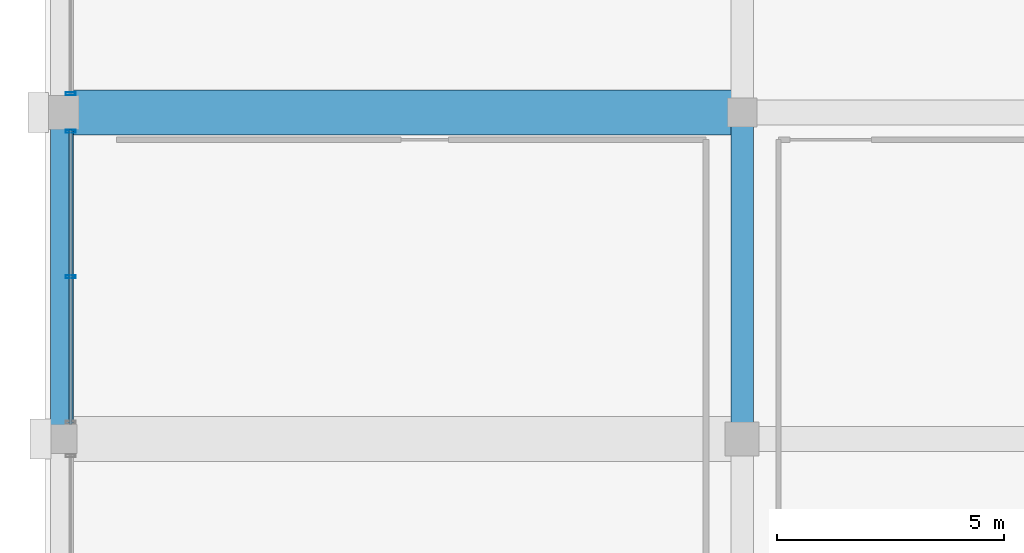
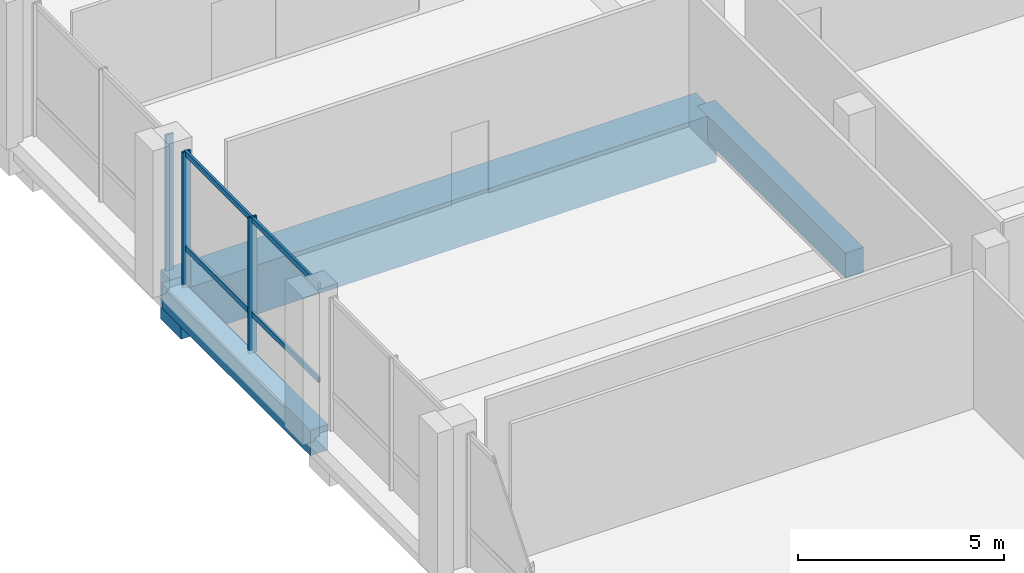
# One storey, part 20 of 64: 5 members, 3 beams, 2 elements without a shape of their own.
"""IFC4 building model written with IfcOpenShell, lengths in metres."""

from ifc_helpers import new_model, si_unit, direction, frame, origin, origin_2d, place, context, subcontext, project, spatial, rectangle, hollow_rectangle, extrude, material, material_profile, profile_set, type_object, element, aggregate, save


model = new_model("IFC4")

# Units and contexts
model_context = context("Model", 3, precision=1e-05, world=origin(), true_north=direction((0.0, 1.0)))
body_context = subcontext(model_context, "Body", "Model", "MODEL_VIEW")
ifc_project = project(units=[si_unit("LENGTHUNIT", "METRE"), si_unit("AREAUNIT", "SQUARE_METRE"), si_unit("VOLUMEUNIT", "CUBIC_METRE"), si_unit("PLANEANGLEUNIT", "RADIAN"), si_unit("MASSUNIT", "GRAM", prefix="KILO")], contexts=[model_context])

# Site, building, storey
site_placement = place(None, origin())
site = spatial("IfcSite", under=ifc_project, at=site_placement, CompositionType="ELEMENT")
building_placement = place(site_placement, origin())
building = spatial("IfcBuilding", under=site, at=building_placement, Name="Akrevak Sports Hall", CompositionType="ELEMENT")
storey_placement = place(building_placement, frame((0.0, 0.0, 4.60009765625)))
storey = spatial("IfcBuildingStorey", under=building, at=storey_placement, Name="L01", CompositionType="ELEMENT", Elevation=4.60009765625)

# Curtain wall, members
ifc_material_1 = material(Name="Anodized Bronze Aluminium & Low-E Glass", Category="aluminium")
curtain_wall_type = type_object("IfcCurtainWallType", Name="ARC-CW-POD-64x44", PredefinedType="NOTDEFINED", material=ifc_material_1)
curtain_wall_1_placement = place(storey_placement, origin())
curtain_wall_1 = element("IfcCurtainWall", 1, at=curtain_wall_1_placement, inside=storey, type_object=curtain_wall_type, Name="Curtain Wall CW-L01-W07", PredefinedType="NOTDEFINED")
ifc_material_2 = material(Name="Anodized Bronze Aluminium", Category="aluminium")
ifc_material_profile_1 = material_profile(ifc_material_2, hollow_rectangle(XDim=0.06494140625, YDim=0.219970703125, WallThickness=0.00439453125, at=origin_2d()), Name="CWM 65x220", Category="aluminium")
ifc_profile_set_1 = profile_set([ifc_material_profile_1], Name="Anodized Bronze Aluminium")
member_type_1 = type_object("IfcMemberType", Name="ARC-CWM-70x160", PredefinedType="MULLION", material=ifc_profile_set_1)
member_1_placement = place(storey_placement, frame((0.18994140625, 61.985107421875, 0.0), z_axis=(0.0, 0.0, 1.0), x_axis=(0.0, -1.0, 0.0)))
member_1 = element("IfcMember", 2, at=member_1_placement, type_object=member_type_1, Name="Curtain Wall Mullion CW-L01-W07-M1", PredefinedType="MULLION", context=body_context, shape_type="SweptSolid", body=[
    extrude(hollow_rectangle(XDim=0.06494140625, YDim=0.219970703125, WallThickness=0.00439453125, at=origin_2d()), origin(), (0.0, 0.0, 1.0), 4.02001953125),
])
member_2_placement = place(storey_placement, frame((0.18994140625, 58.77490234375, 0.0), z_axis=(0.0, 0.0, 1.0), x_axis=(0.0, -1.0, 0.0)))
member_2 = element("IfcMember", 3, at=member_2_placement, type_object=member_type_1, Name="Curtain Wall Mullion CW-L01-W07-M2", PredefinedType="MULLION", context=body_context, shape_type="SweptSolid", body=[
    extrude(hollow_rectangle(XDim=0.06494140625, YDim=0.219970703125, WallThickness=0.00439453125, at=origin_2d()), origin(), (0.0, 0.0, 1.0), 4.02001953125),
])

# Curtain wall, member
curtain_wall_2_placement = place(storey_placement, origin())
curtain_wall_2 = element("IfcCurtainWall", 4, at=curtain_wall_2_placement, inside=storey, type_object=curtain_wall_type, Name="Curtain Wall CW-L01-W08", PredefinedType="NOTDEFINED")
member_3_placement = place(storey_placement, frame((0.18994140625, 62.81494140625, 0.0), z_axis=(0.0, 0.0, 1.0), x_axis=(0.0, -1.0, 0.0)))
member_3 = element("IfcMember", 5, at=member_3_placement, type_object=member_type_1, Name="Curtain Wall Mullion CW-L01-W08-M3", PredefinedType="MULLION", context=body_context, shape_type="SweptSolid", body=[
    extrude(hollow_rectangle(XDim=0.06494140625, YDim=0.219970703125, WallThickness=0.00439453125, at=origin_2d()), origin(), (0.0, 0.0, 1.0), 4.02001953125),
])
aggregate(curtain_wall_2, [member_3])

# Member
ifc_material_profile_2 = material_profile(ifc_material_2, hollow_rectangle(XDim=0.06494140625, YDim=0.159912109375, WallThickness=0.00390625, at=origin_2d()), Name="CWT 65x160", Category="aluminium")
ifc_profile_set_2 = profile_set([ifc_material_profile_2], Name="Anodized Bronze Aluminium")
member_type_2 = type_object("IfcMemberType", Name="ARC-CWT-70x130", PredefinedType="USERDEFINED", material=ifc_profile_set_2)
member_4_placement = place(storey_placement, frame((0.18994140625, 62.02490234375, 1.14990234375), z_axis=(0.0, -1.0, 0.0), x_axis=(1.0, 0.0, 0.0)))
member_4 = element("IfcMember", 6, at=member_4_placement, type_object=member_type_2, Name="Curtain Wall Transom CW-L01-W07-T1", ObjectType="TRANSOM", PredefinedType="USERDEFINED", context=body_context, shape_type="SweptSolid", body=[
    extrude(hollow_rectangle(XDim=0.06494140625, YDim=0.159912109375, WallThickness=0.00390625, at=origin_2d()), origin(), (0.0, 0.0, 1.0), 6.5),
])

member_5_placement = place(storey_placement, frame((0.18994140625, 62.02490234375, 3.93994140625), z_axis=(0.0, -1.0, 0.0), x_axis=(1.0, 0.0, 0.0)))
member_5 = element("IfcMember", 7, at=member_5_placement, type_object=member_type_2, Name="Curtain Wall Transom CW-L01-W07-T2", ObjectType="TRANSOM", PredefinedType="USERDEFINED", context=body_context, shape_type="SweptSolid", body=[
    extrude(hollow_rectangle(XDim=0.06494140625, YDim=0.159912109375, WallThickness=0.00390625, at=origin_2d()), origin(), (0.0, 0.0, 1.0), 6.5),
])

aggregate(curtain_wall_1, [member_1, member_2, member_4, member_5])

# Beams
ifc_material_3 = material(Name="Concrete C50/60", Category="concrete")
ifc_material_profile_3 = material_profile(ifc_material_3, rectangle(XDim=1.0, YDim=1.449951171875, at=origin_2d()), Name="BM 1000x1450", Category="concrete")
ifc_profile_set_3 = profile_set([ifc_material_profile_3], Name="Concrete C50/60")
beam_type_1 = type_object("IfcBeamType", Name="STR-BM-LG1000x1450", PredefinedType="BEAM", material=ifc_profile_set_3)
beam_placement = place(storey_placement, frame((0.0, 62.39990234375, -0.72509765625), z_axis=(1.0, 0.0, 0.0), x_axis=(0.0, 1.0, 0.0)))
element("IfcBeam", 8, at=beam_placement, inside=storey, type_object=beam_type_1, Name="Girder J/1-3 (L01)", PredefinedType="BEAM", context=body_context, shape_type="SweptSolid", body=[
    extrude(rectangle(XDim=1.0, YDim=1.449951171875, at=origin_2d()), origin(), (0.0, 0.0, 1.0), 15.0),
])
ifc_material_4 = material(Name="Concrete C40/50", Category="concrete")
ifc_material_profile_4 = material_profile(ifc_material_4, rectangle(XDim=0.5, YDim=0.75, at=origin_2d()), Name="BM 500x750", Category="concrete")
ifc_profile_set_4 = profile_set([ifc_material_profile_4], Name="Concrete C40/50")
beam_type_2 = type_object("IfcBeamType", Name="STR-BM-RC500x750", PredefinedType="BEAM", material=ifc_profile_set_4)
for number, where, z_axis, x_axis, name in (
    (9, (0.0, 55.199951171875, -0.375), (0.0, 1.0, 0.0), (-1.0, 0.0, 0.0), "Girder 1/I-J (L01)"),
    (10, (15.0, 55.199951171875, -0.375), (0.0, 1.0, 0.0), (-1.0, 0.0, 0.0), "Girder 3/I-J (L01)"),
):
    element("IfcBeam", number, at=place(storey_placement, frame(where, z_axis=z_axis, x_axis=x_axis)), inside=storey, type_object=beam_type_2, Name=name, PredefinedType="BEAM", context=body_context, shape_type="SweptSolid", body=[
        extrude(rectangle(XDim=0.5, YDim=0.75, at=origin_2d()), origin(), (0.0, 0.0, 1.0), 7.199951171875),
    ])

save(model, "model.ifc")
